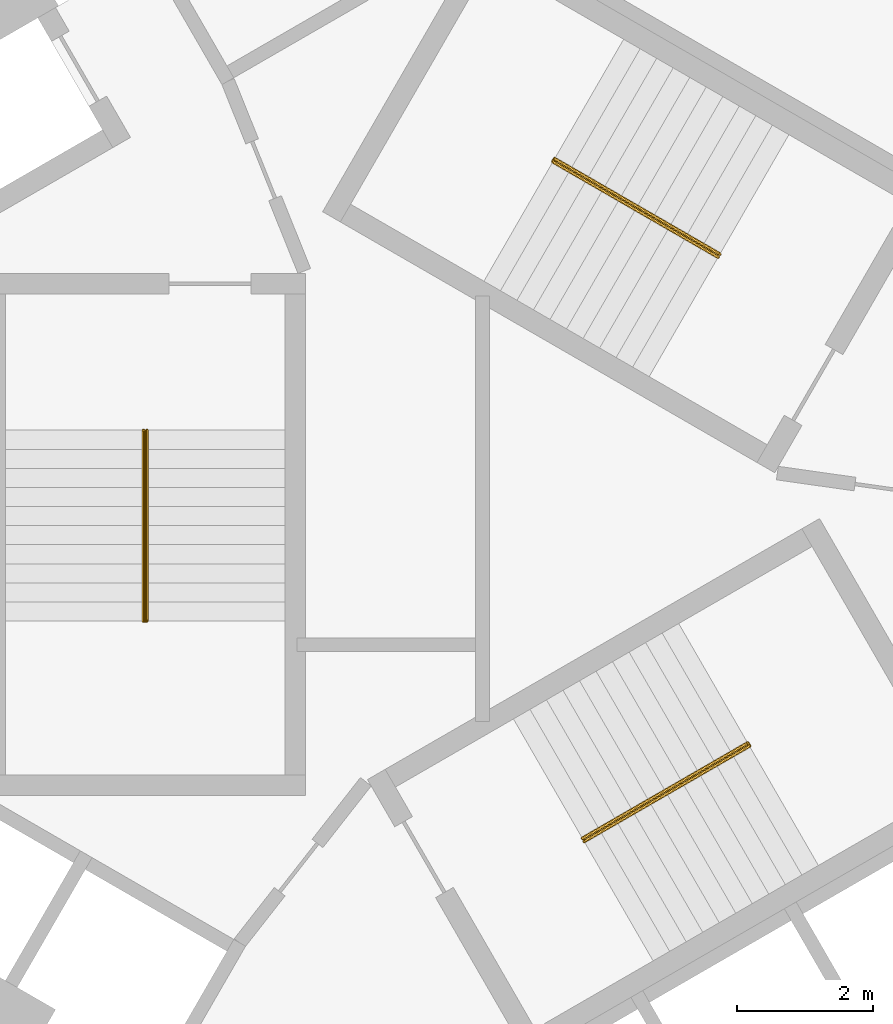
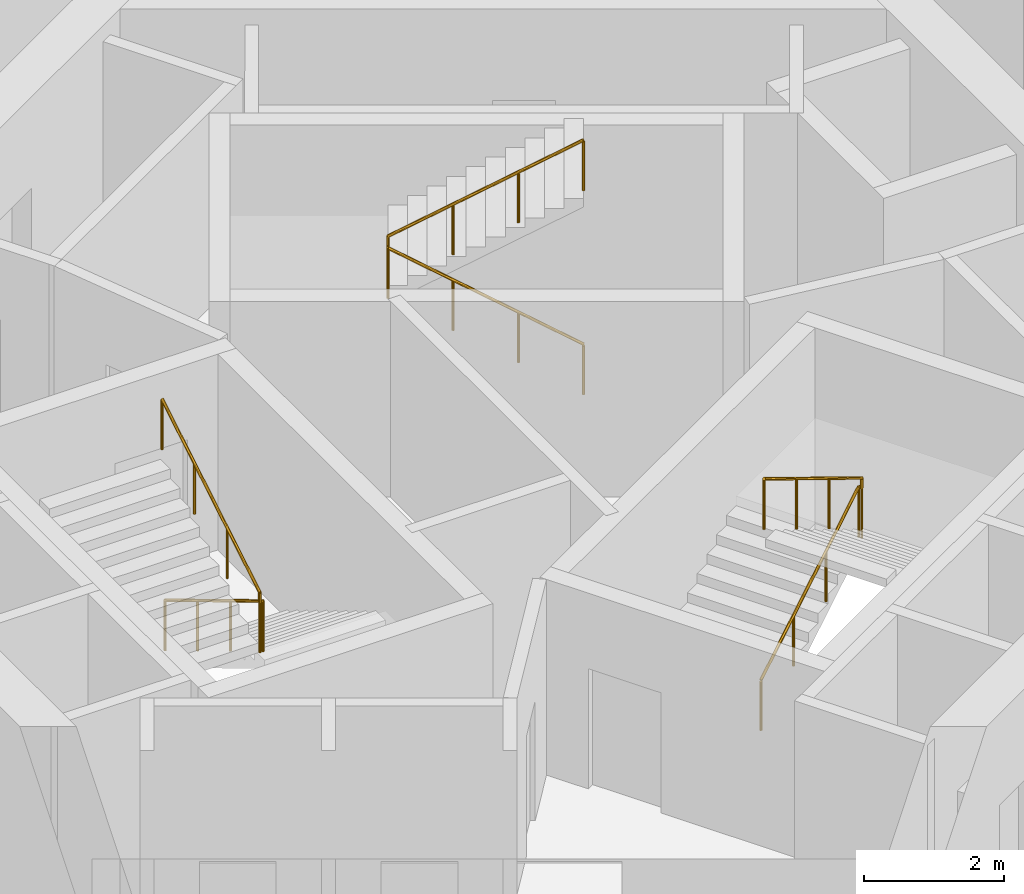
# One storey, part 10 of 10: 3 railings.
"""IFC4 building model written with IfcOpenShell, lengths in metres."""

from ifc_helpers import new_model, si_unit, direction, frame, origin, origin_2d, place, context, subcontext, project, spatial, circle, extrude, material, type_object, element, save


model = new_model("IFC4")

# Units and contexts
model_context = context("Model", 3, precision=1e-05, world=origin(), true_north=direction((0.0, 1.0)))
body_context = subcontext(model_context, "Body", "Model", "MODEL_VIEW")
ifc_project = project(units=[si_unit("LENGTHUNIT", "METRE"), si_unit("AREAUNIT", "SQUARE_METRE"), si_unit("VOLUMEUNIT", "CUBIC_METRE"), si_unit("PLANEANGLEUNIT", "RADIAN"), si_unit("MASSUNIT", "GRAM", prefix="KILO")], contexts=[model_context])

# Site, building, storey
site_placement = place(None, origin())
site = spatial("IfcSite", under=ifc_project, at=site_placement, CompositionType="ELEMENT")
building_placement = place(site_placement, origin())
building = spatial("IfcBuilding", under=site, at=building_placement, Name="Vanh Sen Convention Tower", CompositionType="ELEMENT")
storey_placement = place(building_placement, frame((0.0, 0.0, 267.199951171875)))
storey = spatial("IfcBuildingStorey", under=building, at=storey_placement, Name="L66", CompositionType="ELEMENT", Elevation=267.199951171875)

# Railings
ifc_material = material(Name="Stainless steel handrail", Category="steel")
railing_type = type_object("IfcRailingType", Name="Stair handrail 900", PredefinedType="HANDRAIL", material=ifc_material)
railing_1_placement = place(storey_placement, frame((3.45849609375, 3.690185546875, 0.168212890625)))
element("IfcRailing", 1, at=railing_1_placement, inside=storey, type_object=railing_type, Name="Stair handrail ST1 L66", PredefinedType="HANDRAIL", context=body_context, shape_type="SweptSolid", body=[
    extrude(circle(Radius=0.02392578125, at=origin_2d()), frame((0.0, 0.0, 0.8759765625), z_axis=(-0.742390482028, 0.42860119049, 0.514934356695), x_axis=(-0.49998411664, -0.866034573852, 0.0)), (0.0, 0.0, 1.0), 3.26611328125),
    extrude(circle(Radius=0.02392578125, at=origin_2d()), frame((-2.4248046875, 1.39990234375, 2.5576171875), z_axis=(0.497188445666, 0.867642581652, 0.0), x_axis=(-0.867642581652, 0.497188445666, 0.0)), (0.0, 0.0, 1.0), 0.050048828125),
    extrude(circle(Radius=0.02392578125, at=origin_2d()), frame((-2.39990234375, 1.443359375, 2.5576171875), z_axis=(0.0, 0.0, 1.0), x_axis=(1.0, 0.0, 0.0)), (0.0, 0.0, 1.0), 0.168212890625),
    extrude(circle(Radius=0.02392578125, at=origin_2d()), frame((-2.39990234375, 1.443359375, 2.72607421875), z_axis=(0.742395268701, -0.428678701772, 0.514862928999), x_axis=(0.500049511043, 0.865996816683, 0.0)), (0.0, 0.0, 1.0), 3.26611328125),
    extrude(circle(Radius=0.02099609375, at=origin_2d()), origin(), (0.0, 0.0, 1.0), 0.851806640625),
    extrude(circle(Radius=0.02099609375, at=origin_2d()), frame((-0.808349609375, 0.466552734375, 0.560546875)), (0.0, 0.0, 1.0), 0.851806640625),
    extrude(circle(Radius=0.02099609375, at=origin_2d()), frame((-1.616455078125, 0.933349609375, 1.121337890625)), (0.0, 0.0, 1.0), 0.851806640625),
    extrude(circle(Radius=0.02099609375, at=origin_2d()), frame((-2.4248046875, 1.39990234375, 1.681884765625)), (0.0, 0.0, 1.0), 0.851806640625),
    extrude(circle(Radius=0.02099609375, at=origin_2d()), frame((-2.39990234375, 1.443359375, 1.681884765625)), (0.0, 0.0, 1.0), 0.851806640625),
    extrude(circle(Radius=0.02099609375, at=origin_2d()), frame((-2.39990234375, 1.443359375, 1.85009765625)), (0.0, 0.0, 1.0), 0.851806640625),
    extrude(circle(Radius=0.02099609375, at=origin_2d()), frame((-1.591552734375, 0.9765625, 2.41064453125)), (0.0, 0.0, 1.0), 0.851806640625),
    extrude(circle(Radius=0.02099609375, at=origin_2d()), frame((-0.783447265625, 0.510009765625, 2.97119140625)), (0.0, 0.0, 1.0), 0.851806640625),
    extrude(circle(Radius=0.02099609375, at=origin_2d()), frame((0.02490234375, 0.043212890625, 3.53173828125)), (0.0, 0.0, 1.0), 0.851806640625),
])
railing_2_placement = place(storey_placement, frame((-4.925048828125, 1.14990234375, 0.168212890625)))
element("IfcRailing", 2, at=railing_2_placement, inside=storey, type_object=railing_type, Name="Stair handrail ST2 L66", PredefinedType="HANDRAIL", context=body_context, shape_type="SweptSolid", body=[
    extrude(circle(Radius=0.02392578125, at=origin_2d()), frame((0.0, 0.0, 0.8759765625), z_axis=(0.0, -0.857222391501, 0.514946377315), x_axis=(1.0, 0.0, 0.0)), (0.0, 0.0, 1.0), 3.26611328125),
    extrude(circle(Radius=0.02392578125, at=origin_2d()), frame((0.0, -2.7998046875, 2.5576171875), z_axis=(-1.0, 0.0, 0.0), x_axis=(0.0, -1.0, 0.0)), (0.0, 0.0, 1.0), 0.050048828125),
    extrude(circle(Radius=0.02392578125, at=origin_2d()), frame((-0.050048828125, -2.7998046875, 2.5576171875), z_axis=(0.0, 0.0, 1.0), x_axis=(1.0, 0.0, 0.0)), (0.0, 0.0, 1.0), 0.168212890625),
    extrude(circle(Radius=0.02392578125, at=origin_2d()), frame((-0.050048828125, -2.7998046875, 2.72607421875), z_axis=(0.0, 0.857255387014, 0.514891446264), x_axis=(-1.0, 0.0, 0.0)), (0.0, 0.0, 1.0), 3.26611328125),
    extrude(circle(Radius=0.02099609375, at=origin_2d()), origin(), (0.0, 0.0, 1.0), 0.851806640625),
    extrude(circle(Radius=0.02099609375, at=origin_2d()), frame((0.0, -0.933349609375, 0.560546875)), (0.0, 0.0, 1.0), 0.851806640625),
    extrude(circle(Radius=0.02099609375, at=origin_2d()), frame((0.0, -1.866455078125, 1.121337890625)), (0.0, 0.0, 1.0), 0.851806640625),
    extrude(circle(Radius=0.02099609375, at=origin_2d()), frame((0.0, -2.7998046875, 1.681884765625)), (0.0, 0.0, 1.0), 0.851806640625),
    extrude(circle(Radius=0.02099609375, at=origin_2d()), frame((-0.050048828125, -2.7998046875, 1.681884765625)), (0.0, 0.0, 1.0), 0.851806640625),
    extrude(circle(Radius=0.02099609375, at=origin_2d()), frame((-0.050048828125, -2.7998046875, 1.85009765625)), (0.0, 0.0, 1.0), 0.851806640625),
    extrude(circle(Radius=0.02099609375, at=origin_2d()), frame((-0.050048828125, -1.866455078125, 2.41064453125)), (0.0, 0.0, 1.0), 0.851806640625),
    extrude(circle(Radius=0.02099609375, at=origin_2d()), frame((-0.050048828125, -0.933349609375, 2.97119140625)), (0.0, 0.0, 1.0), 0.851806640625),
    extrude(circle(Radius=0.02099609375, at=origin_2d()), frame((-0.050048828125, 0.0, 3.53173828125)), (0.0, 0.0, 1.0), 0.851806640625),
])
railing_3_placement = place(storey_placement, frame((1.466552734375, -4.840087890625, 0.168212890625)))
element("IfcRailing", 3, at=railing_3_placement, inside=storey, type_object=railing_type, Name="Stair handrail ST3 L66", PredefinedType="HANDRAIL", context=body_context, shape_type="SweptSolid", body=[
    extrude(circle(Radius=0.02392578125, at=origin_2d()), frame((0.0, 0.0, 0.8759765625), z_axis=(0.742390482028, 0.42860119049, 0.514934356695), x_axis=(-0.49998411664, 0.866034573852, 0.0)), (0.0, 0.0, 1.0), 3.26611328125),
    extrude(circle(Radius=0.02392578125, at=origin_2d()), frame((2.4248046875, 1.39990234375, 2.5576171875), z_axis=(0.502959906984, -0.86430974307, 0.0), x_axis=(0.86430974307, 0.502959906984, 0.0)), (0.0, 0.0, 1.0), 0.050048828125),
    extrude(circle(Radius=0.02392578125, at=origin_2d()), frame((2.449951171875, 1.356689453125, 2.5576171875), z_axis=(0.0, 0.0, 1.0), x_axis=(1.0, 0.0, 0.0)), (0.0, 0.0, 1.0), 0.168212890625),
    extrude(circle(Radius=0.02392578125, at=origin_2d()), frame((2.449951171875, 1.356689453125, 2.72607421875), z_axis=(-0.742395268701, -0.428678701772, 0.514862928999), x_axis=(0.500049511043, -0.865996816683, 0.0)), (0.0, 0.0, 1.0), 3.26611328125),
    extrude(circle(Radius=0.02099609375, at=origin_2d()), origin(), (0.0, 0.0, 1.0), 0.851806640625),
    extrude(circle(Radius=0.02099609375, at=origin_2d()), frame((0.808349609375, 0.466552734375, 0.560546875)), (0.0, 0.0, 1.0), 0.851806640625),
    extrude(circle(Radius=0.02099609375, at=origin_2d()), frame((1.616455078125, 0.933349609375, 1.121337890625)), (0.0, 0.0, 1.0), 0.851806640625),
    extrude(circle(Radius=0.02099609375, at=origin_2d()), frame((2.4248046875, 1.39990234375, 1.681884765625)), (0.0, 0.0, 1.0), 0.851806640625),
    extrude(circle(Radius=0.02099609375, at=origin_2d()), frame((2.449951171875, 1.356689453125, 1.681884765625)), (0.0, 0.0, 1.0), 0.851806640625),
    extrude(circle(Radius=0.02099609375, at=origin_2d()), frame((2.449951171875, 1.356689453125, 1.85009765625)), (0.0, 0.0, 1.0), 0.851806640625),
    extrude(circle(Radius=0.02099609375, at=origin_2d()), frame((1.6416015625, 0.889892578125, 2.41064453125)), (0.0, 0.0, 1.0), 0.851806640625),
    extrude(circle(Radius=0.02099609375, at=origin_2d()), frame((0.83349609375, 0.42333984375, 2.97119140625)), (0.0, 0.0, 1.0), 0.851806640625),
    extrude(circle(Radius=0.02099609375, at=origin_2d()), frame((0.025146484375, -0.04345703125, 3.53173828125)), (0.0, 0.0, 1.0), 0.851806640625),
])

save(model, "model.ifc")
